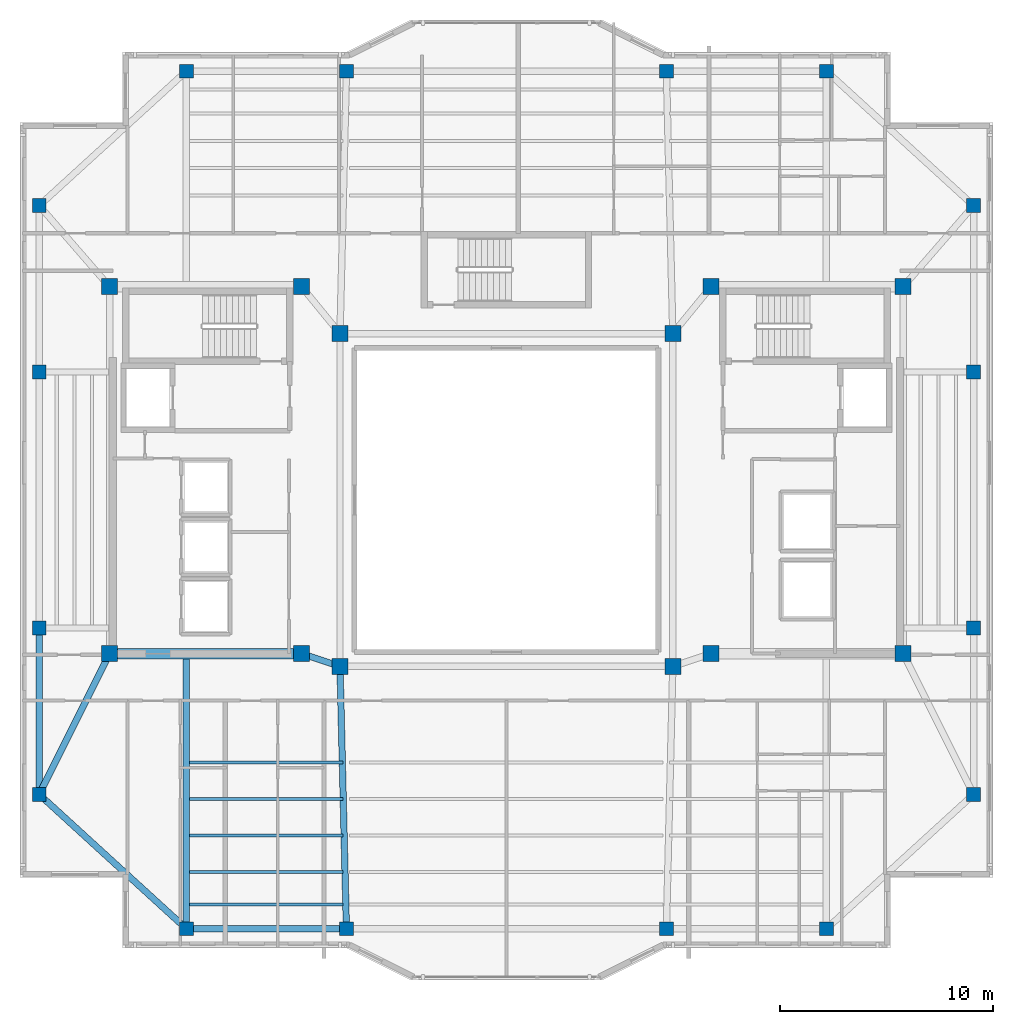
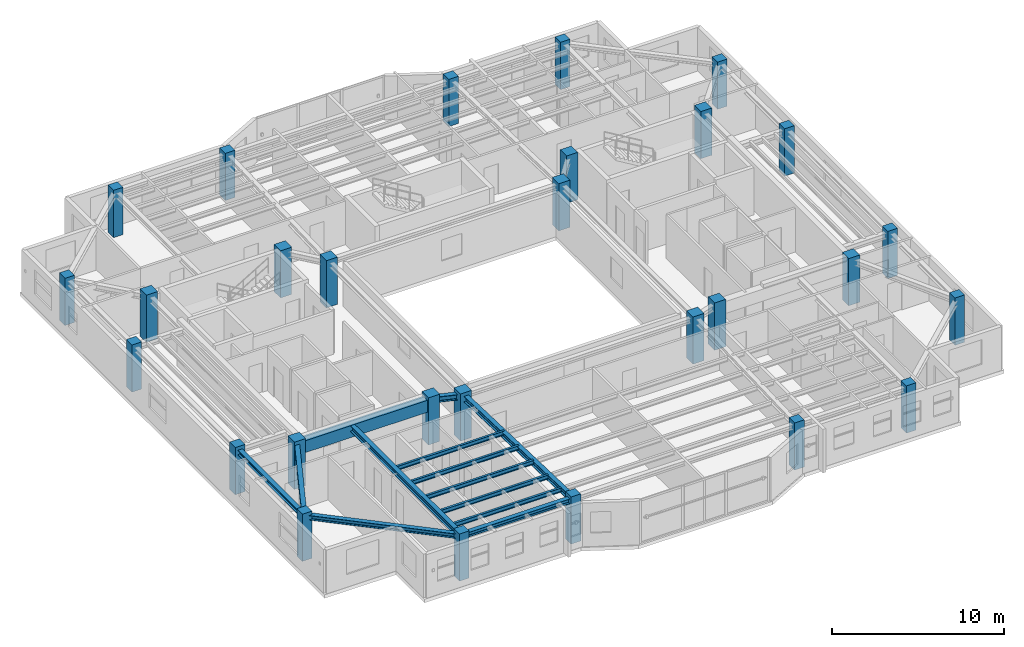
# One storey, part 1 of 14: 28 columns, 13 beams.
"""IFC4 building model written with IfcOpenShell, lengths in metres."""

from ifc_helpers import new_model, si_unit, direction, frame, origin, origin_2d, place, context, subcontext, project, spatial, rectangle, i_section, extrude, material, material_profile, profile_set, type_object, element, save


model = new_model("IFC4")

# Units and contexts
model_context = context("Model", 3, precision=1e-05, world=origin(), true_north=direction((0.0, 1.0)))
body_context = subcontext(model_context, "Body", "Model", "MODEL_VIEW")
ifc_project = project(units=[si_unit("LENGTHUNIT", "METRE"), si_unit("AREAUNIT", "SQUARE_METRE"), si_unit("VOLUMEUNIT", "CUBIC_METRE"), si_unit("PLANEANGLEUNIT", "RADIAN"), si_unit("MASSUNIT", "GRAM", prefix="KILO")], contexts=[model_context])

# Site, building, storey
site_placement = place(None, origin())
site = spatial("IfcSite", under=ifc_project, at=site_placement, CompositionType="ELEMENT")
building_placement = place(site_placement, origin())
building = spatial("IfcBuilding", under=site, at=building_placement, Name="Tarnavaz Court Tower", CompositionType="ELEMENT")
storey_placement = place(building_placement, frame((0.0, 0.0, 254.89990234375)))
storey = spatial("IfcBuildingStorey", under=building, at=storey_placement, Name="L69", CompositionType="ELEMENT", Elevation=254.89990234375)

# Columns
ifc_material_1 = material(Name="Concrete C50/60", Category="concrete")
ifc_material_profile_1 = material_profile(ifc_material_1, rectangle(XDim=0.64990234375, YDim=0.64990234375, at=origin_2d()), Name="RC 650X650")
ifc_profile_set_1 = profile_set([ifc_material_profile_1], Name="Concrete C50/60")
column_type_1 = type_object("IfcColumnType", Name="CL-RC650", PredefinedType="COLUMN", material=ifc_profile_set_1)
for number, where, z_axis, x_axis, name in (
    (1, (-15.0, 20.10009765625, 0.0), (0.0, 0.0, 1.0), (1.0, 0.0, 0.0), "L69 Column PN-1"),
    (2, (-7.5, 20.10009765625, 0.0), (0.0, 0.0, 1.0), (1.0, 0.0, 0.0), "L69 Column PN-2"),
    (3, (7.5, 20.10009765625, 0.0), (0.0, 0.0, 1.0), (1.0, 0.0, 0.0), "L69 Column PN-3"),
    (4, (15.0, 20.10009765625, 0.0), (0.0, 0.0, 1.0), (1.0, 0.0, 0.0), "L69 Column PN-4"),
    (5, (-15.0, -20.10009765625, 0.0), (0.0, 0.0, 1.0), (1.0, 0.0, 0.0), "L69 Column PS-1"),
    (6, (-7.5, -20.10009765625, 0.0), (0.0, 0.0, 1.0), (1.0, 0.0, 0.0), "L69 Column PS-2"),
    (7, (7.5, -20.10009765625, 0.0), (0.0, 0.0, 1.0), (1.0, 0.0, 0.0), "L69 Column PS-3"),
    (8, (15.0, -20.10009765625, 0.0), (0.0, 0.0, 1.0), (1.0, 0.0, 0.0), "L69 Column PS-4"),
    (9, (21.89990234375, -13.800048828125, 0.0), (0.0, 0.0, 1.0), (1.0, 0.0, 0.0), "L69 Column PE-1"),
    (10, (21.89990234375, -6.0, 0.0), (0.0, 0.0, 1.0), (1.0, 0.0, 0.0), "L69 Column PE-2"),
    (11, (21.89990234375, 6.0, 0.0), (0.0, 0.0, 1.0), (1.0, 0.0, 0.0), "L69 Column PE-3"),
    (12, (21.89990234375, 13.800048828125, 0.0), (0.0, 0.0, 1.0), (1.0, 0.0, 0.0), "L69 Column PE-4"),
    (13, (-21.89990234375, -13.800048828125, 0.0), (0.0, 0.0, 1.0), (1.0, 0.0, 0.0), "L69 Column PW-1"),
    (14, (-21.89990234375, -6.0, 0.0), (0.0, 0.0, 1.0), (1.0, 0.0, 0.0), "L69 Column PW-2"),
    (15, (-21.89990234375, 6.0, 0.0), (0.0, 0.0, 1.0), (1.0, 0.0, 0.0), "L69 Column PW-3"),
    (16, (-21.89990234375, 13.800048828125, 0.0), (0.0, 0.0, 1.0), (1.0, 0.0, 0.0), "L69 Column PW-4"),
):
    element("IfcColumn", number, at=place(storey_placement, frame(where, z_axis=z_axis, x_axis=x_axis)), inside=storey, type_object=column_type_1, Name=name, PredefinedType="COLUMN", context=body_context, shape_type="SweptSolid", body=[
        extrude(rectangle(XDim=0.64990234375, YDim=0.64990234375, at=origin_2d()), origin(), (0.0, 0.0, 1.0), 3.35009765625),
    ])
ifc_material_profile_2 = material_profile(ifc_material_1, rectangle(XDim=0.75, YDim=0.75, at=origin_2d()), Name="RC 750X750")
ifc_profile_set_2 = profile_set([ifc_material_profile_2], Name="Concrete C50/60")
column_type_2 = type_object("IfcColumnType", Name="CL-RC750", PredefinedType="COLUMN", material=ifc_profile_set_2)
for number, where, z_axis, x_axis, name in (
    (17, (-7.800048828125, -7.800048828125, 0.0), (0.0, 0.0, 1.0), (1.0, 0.0, 0.0), "L69 Column IW-SW"),
    (18, (7.800048828125, -7.800048828125, 0.0), (0.0, 0.0, 1.0), (1.0, 0.0, 0.0), "L69 Column IW-SE"),
    (19, (-7.800048828125, 7.800048828125, 0.0), (0.0, 0.0, 1.0), (1.0, 0.0, 0.0), "L69 Column IW-NW"),
    (20, (7.800048828125, 7.800048828125, 0.0), (0.0, 0.0, 1.0), (1.0, 0.0, 0.0), "L69 Column IW-NE"),
    (21, (-9.60009765625, -7.199951171875, 0.0), (0.0, 0.0, 1.0), (1.0, 0.0, 0.0), "L69 Column CW-SI"),
    (22, (-9.60009765625, 10.0, 0.0), (0.0, 0.0, 1.0), (1.0, 0.0, 0.0), "L69 Column CW-NI"),
    (23, (9.60009765625, -7.199951171875, 0.0), (0.0, 0.0, 1.0), (1.0, 0.0, 0.0), "L69 Column CE-SI"),
    (24, (9.60009765625, 10.0, 0.0), (0.0, 0.0, 1.0), (1.0, 0.0, 0.0), "L69 Column CE-NI"),
    (25, (-18.60009765625, -7.199951171875, 0.0), (0.0, 0.0, 1.0), (1.0, 0.0, 0.0), "L69 Column CW-SO"),
    (26, (-18.60009765625, 10.0, 0.0), (0.0, 0.0, 1.0), (1.0, 0.0, 0.0), "L69 Column CW-NO"),
    (27, (18.60009765625, -7.199951171875, 0.0), (0.0, 0.0, 1.0), (1.0, 0.0, 0.0), "L69 Column CE-SO"),
    (28, (18.60009765625, 10.0, 0.0), (0.0, 0.0, 1.0), (1.0, 0.0, 0.0), "L69 Column CE-NO"),
):
    element("IfcColumn", number, at=place(storey_placement, frame(where, z_axis=z_axis, x_axis=x_axis)), inside=storey, type_object=column_type_2, Name=name, PredefinedType="COLUMN", context=body_context, shape_type="SweptSolid", body=[
        extrude(rectangle(XDim=0.75, YDim=0.75, at=origin_2d()), origin(), (0.0, 0.0, 1.0), 3.35009765625),
    ])

# Beams
ifc_material_profile_3 = material_profile(ifc_material_1, rectangle(XDim=0.5, YDim=0.85009765625, at=origin_2d()), Name="RC 500X850")
ifc_profile_set_3 = profile_set([ifc_material_profile_3], Name="Concrete C50/60")
beam_type_1 = type_object("IfcBeamType", Name="BM-CB850", PredefinedType="LINTEL", material=ifc_profile_set_3)
beam_1_placement = place(storey_placement, frame((-18.3798828125, -7.199951171875, 2.675048828125), z_axis=(1.0, 0.0, 0.0), x_axis=(0.0, 1.0, 0.0)))
element("IfcBeam", 29, at=beam_1_placement, inside=storey, type_object=beam_type_1, Name="L69 Beam IN-CW-SO-CW-SI", PredefinedType="LINTEL", context=body_context, shape_type="SweptSolid", body=[
    extrude(rectangle(XDim=0.5, YDim=0.85009765625, at=origin_2d()), origin(), (0.0, 0.0, 1.0), 8.559814453125),
])
ifc_material_2 = material(Name="Steel S355", Category="steel")
ifc_material_profile_4 = material_profile(ifc_material_2, i_section(OverallWidth=0.300048828125, OverallDepth=0.39990234375, WebThickness=0.013427734375, FlangeThickness=0.02392578125, FilletRadius=0.027099609375, at=origin_2d()), Name="HEB 400")
ifc_profile_set_4 = profile_set([ifc_material_profile_4], Name="Steel S355")
beam_type_2 = type_object("IfcBeamType", Name="BM-G-HEB400", PredefinedType="USERDEFINED", material=ifc_profile_set_4)
beam_2_placement = place(storey_placement, frame((-9.391357421875, -7.26953125, 2.900146484375), z_axis=(0.948666544706, -0.316278021615, 0.0), x_axis=(0.316278021615, 0.948666544706, 0.0)))
element("IfcBeam", 30, at=beam_2_placement, inside=storey, type_object=beam_type_2, Name="L69 Beam IN-CW-SI-IW-SW", ObjectType="GIRDER", PredefinedType="USERDEFINED", context=body_context, shape_type="SweptSolid", body=[
    extrude(i_section(OverallWidth=0.300048828125, OverallDepth=0.39990234375, WebThickness=0.013427734375, FlangeThickness=0.02392578125, FilletRadius=0.027099609375, at=origin_2d()), origin(), (0.0, 0.0, 1.0), 1.457275390625),
])
beam_3_placement = place(storey_placement, frame((-15.0, -7.239990234375, 2.900146484375), z_axis=(0.0, -1.0, 0.0), x_axis=(1.0, 0.0, 0.0)))
element("IfcBeam", 31, at=beam_3_placement, inside=storey, type_object=beam_type_2, Name="L69 Beam RG-05", ObjectType="GIRDER", PredefinedType="USERDEFINED", context=body_context, shape_type="SweptSolid", body=[
    extrude(i_section(OverallWidth=0.300048828125, OverallDepth=0.39990234375, WebThickness=0.013427734375, FlangeThickness=0.02392578125, FilletRadius=0.027099609375, at=origin_2d()), origin(), (0.0, 0.0, 1.0), 12.639892578125),
])
beam_4_placement = place(storey_placement, frame((-7.794677734375, -8.02001953125, 2.900146484375), z_axis=(0.024386002211, -0.99970261723, 0.0), x_axis=(0.99970261723, 0.024386002211, 0.0)))
element("IfcBeam", 32, at=beam_4_placement, inside=storey, type_object=beam_type_2, Name="L69 Beam RG-06", ObjectType="GIRDER", PredefinedType="USERDEFINED", context=body_context, shape_type="SweptSolid", body=[
    extrude(i_section(OverallWidth=0.300048828125, OverallDepth=0.39990234375, WebThickness=0.013427734375, FlangeThickness=0.02392578125, FilletRadius=0.027099609375, at=origin_2d()), origin(), (0.0, 0.0, 1.0), 11.863525390625),
])
beam_5_placement = place(storey_placement, frame((-18.698486328125, -7.396728515625, 2.900146484375), z_axis=(-0.447185448279, -0.894441264057, 0.0), x_axis=(0.894441264057, -0.447185448279, 0.0)))
element("IfcBeam", 33, at=beam_5_placement, inside=storey, type_object=beam_type_2, Name="L69 Beam RG-15", ObjectType="GIRDER", PredefinedType="USERDEFINED", context=body_context, shape_type="SweptSolid", body=[
    extrude(i_section(OverallWidth=0.300048828125, OverallDepth=0.39990234375, WebThickness=0.013427734375, FlangeThickness=0.02392578125, FilletRadius=0.027099609375, at=origin_2d()), origin(), (0.0, 0.0, 1.0), 6.93896484375),
])
ifc_material_profile_5 = material_profile(ifc_material_2, i_section(OverallWidth=0.14990234375, OverallDepth=0.300048828125, WebThickness=0.007080078125, FlangeThickness=0.0107421875, FilletRadius=0.014892578125, at=origin_2d()), Name="IPE 300")
ifc_profile_set_5 = profile_set([ifc_material_profile_5], Name="Steel S355")
beam_type_3 = type_object("IfcBeamType", Name="BM-J-IPE300", PredefinedType="JOIST", material=ifc_profile_set_5)
for number, where, z_axis, x_axis, name in (
    (34, (-14.85009765625, -12.31005859375, 2.9501953125), (1.0, 0.0, 0.0), (0.0, 1.0, 0.0), "L69 Beam JS1-1"),
    (35, (-14.85009765625, -14.02001953125, 2.9501953125), (1.0, 0.0, 0.0), (0.0, 1.0, 0.0), "L69 Beam JS2-1"),
    (36, (-14.85009765625, -15.72998046875, 2.9501953125), (1.0, 0.0, 0.0), (0.0, 1.0, 0.0), "L69 Beam JS3-1"),
    (37, (-14.85009765625, -17.43994140625, 2.9501953125), (1.0, 0.0, 0.0), (0.0, 1.0, 0.0), "L69 Beam JS4-1"),
    (38, (-14.85009765625, -18.9599609375, 2.9501953125), (1.0, 0.0, 0.0), (0.0, 1.0, 0.0), "L69 Beam JS5-1"),
):
    element("IfcBeam", number, at=place(storey_placement, frame(where, z_axis=z_axis, x_axis=x_axis)), inside=storey, type_object=beam_type_3, Name=name, PredefinedType="JOIST", context=body_context, shape_type="SweptSolid", body=[
        extrude(i_section(OverallWidth=0.14990234375, OverallDepth=0.300048828125, WebThickness=0.007080078125, FlangeThickness=0.0107421875, FilletRadius=0.014892578125, at=origin_2d()), origin(), (0.0, 0.0, 1.0), 7.2001953125),
    ])
ifc_material_profile_6 = material_profile(ifc_material_2, i_section(OverallWidth=0.300048828125, OverallDepth=0.330078125, WebThickness=0.009521484375, FlangeThickness=0.0166015625, FilletRadius=0.027099609375, at=origin_2d()), Name="HEA 340")
ifc_profile_set_6 = profile_set([ifc_material_profile_6], Name="Steel S355")
beam_type_4 = type_object("IfcBeamType", Name="BM-SP-HEA340", PredefinedType="BEAM", material=ifc_profile_set_6)
beam_6_placement = place(storey_placement, frame((-14.780029296875, -20.10009765625, 2.93505859375), z_axis=(1.0, 0.0, 0.0), x_axis=(0.0, 1.0, 0.0)))
element("IfcBeam", 39, at=beam_6_placement, inside=storey, type_object=beam_type_4, Name="L69 Beam PR-PS-1-PS-2", PredefinedType="BEAM", context=body_context, shape_type="SweptSolid", body=[
    extrude(i_section(OverallWidth=0.300048828125, OverallDepth=0.330078125, WebThickness=0.009521484375, FlangeThickness=0.0166015625, FilletRadius=0.027099609375, at=origin_2d()), origin(), (0.0, 0.0, 1.0), 7.06005859375),
])
beam_7_placement = place(storey_placement, frame((-21.89990234375, -13.580078125, 2.93505859375), z_axis=(0.0, 1.0, 0.0), x_axis=(-1.0, 0.0, 0.0)))
element("IfcBeam", 40, at=beam_7_placement, inside=storey, type_object=beam_type_4, Name="L69 Beam PR-PW-1-PW-2", PredefinedType="BEAM", context=body_context, shape_type="SweptSolid", body=[
    extrude(i_section(OverallWidth=0.300048828125, OverallDepth=0.330078125, WebThickness=0.009521484375, FlangeThickness=0.0166015625, FilletRadius=0.027099609375, at=origin_2d()), origin(), (0.0, 0.0, 1.0), 7.360107421875),
])
beam_8_placement = place(storey_placement, frame((-15.16259765625, -19.95166015625, 2.93505859375), z_axis=(-0.738474214476, 0.674281717499, 0.0), x_axis=(-0.674281717499, -0.738474214476, 0.0)))
element("IfcBeam", 41, at=beam_8_placement, inside=storey, type_object=beam_type_4, Name="L69 Beam PR-PS-1-PW-1", PredefinedType="BEAM", context=body_context, shape_type="SweptSolid", body=[
    extrude(i_section(OverallWidth=0.300048828125, OverallDepth=0.330078125, WebThickness=0.009521484375, FlangeThickness=0.0166015625, FilletRadius=0.027099609375, at=origin_2d()), origin(), (0.0, 0.0, 1.0), 8.9033203125),
])

save(model, "model.ifc")
